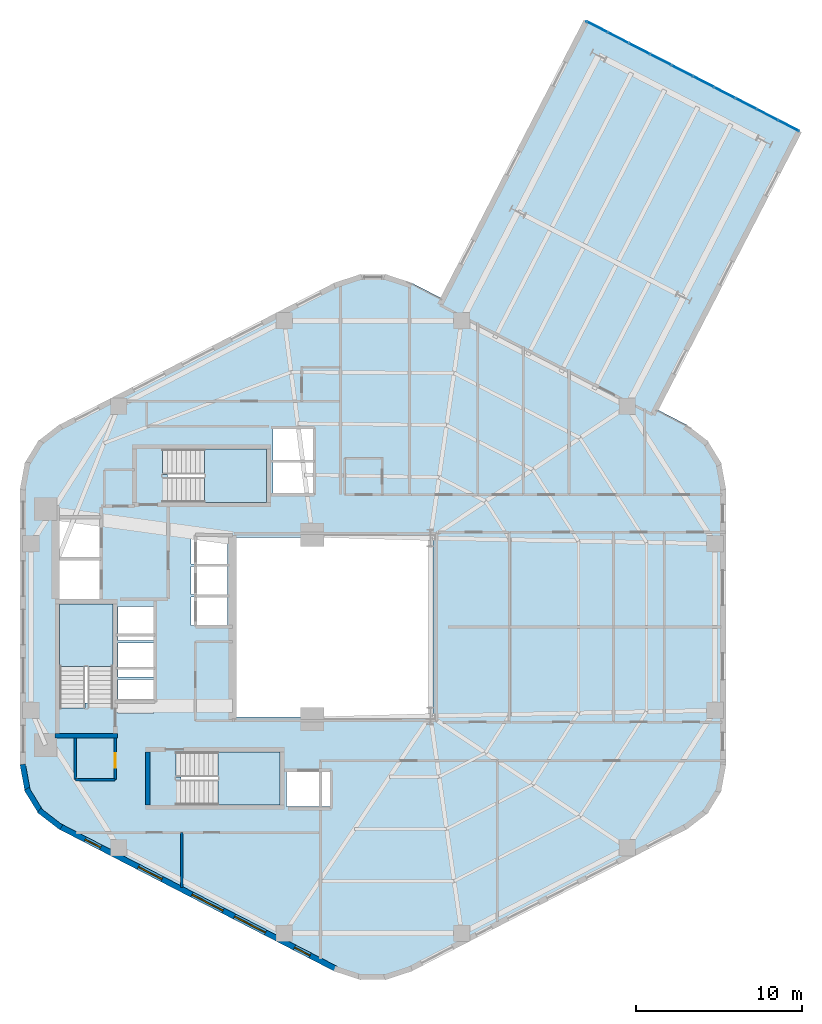
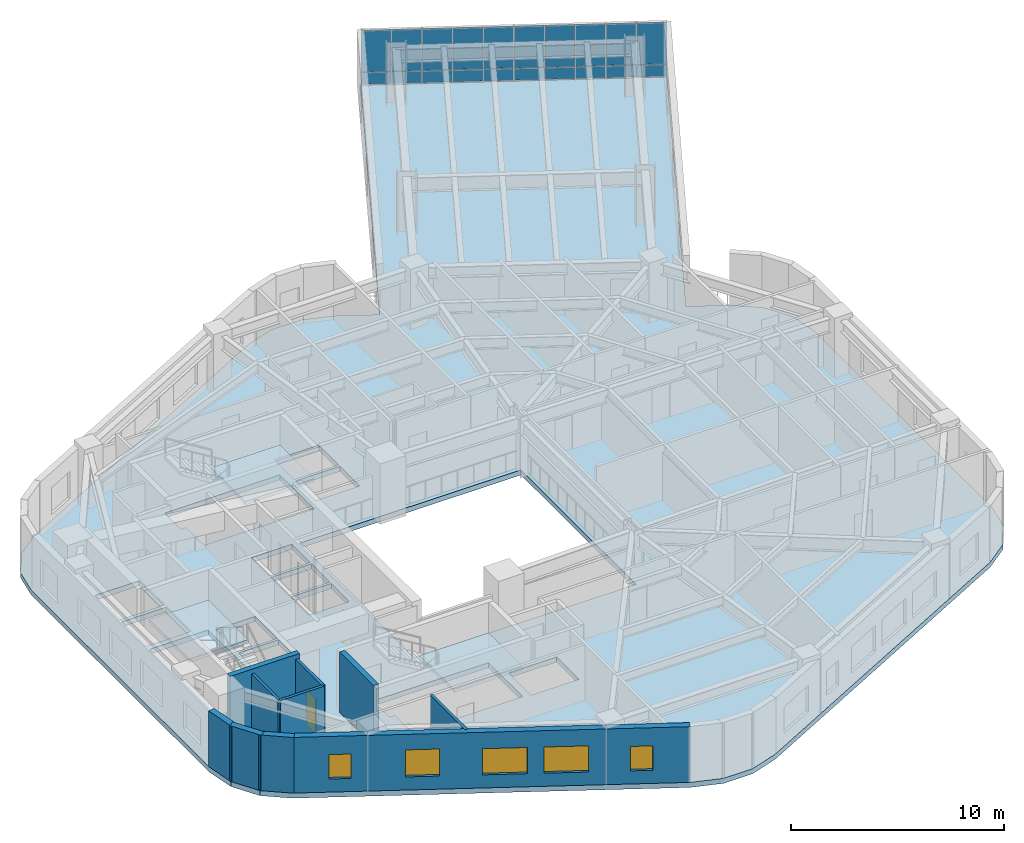
# One storey, part 4 of 11: 20 plates, 10 walls, 5 windows, 4 slabs, 1 door, 6 openings, 4 elements without a shape of their own.
"""IFC4 building model written with IfcOpenShell, lengths in metres."""

import ifcopenshell
import ifcopenshell.guid

model = None  # the IFC model being written
_history = None  # IfcOwnerHistory: only IFC2X3 demands one
_inside = {}  # id of a spatial element -> (the spatial element, [elements in it])
_under = {}  # id of a project, library or spatial element -> (it, [spatial elements below it])
_declared = {}  # id of a project -> (the project, [libraries it declares])
_typed = {}  # id of a type object -> (the type object, [elements of that type])
_made_of = {}  # id of a material, layer set ... -> (it, [elements and type objects made of it])


def new_model(schema):
    """Start an empty IFC model of exactly this schema.

    Asked for "IFC4X3", IfcOpenShell would pick the latest addendum, in which some entities
    have other attributes; the version numbers below select the first issue.
    IFC2X3 requires an IfcOwnerHistory on every rooted entity: one is made here for all.
    """
    global model, _history
    if schema == "IFC4X3":
        model = ifcopenshell.file(schema_version=(4, 3, 0, 0))
    else:
        model = ifcopenshell.file(schema=schema)
    _inside.clear()
    _under.clear()
    _declared.clear()
    _typed.clear()
    _made_of.clear()
    _history = None
    if model.schema == "IFC2X3":
        org = make("IfcOrganization", Name="unknown")
        user = make(
            "IfcPersonAndOrganization",
            ThePerson=make("IfcPerson", FamilyName="unknown"),
            TheOrganization=org,
        )
        app = make(
            "IfcApplication",
            ApplicationDeveloper=org,
            Version="unknown",
            ApplicationFullName="unknown",
            ApplicationIdentifier="unknown",
        )
        _history = make(
            "IfcOwnerHistory",
            OwningUser=user,
            OwningApplication=app,
            ChangeAction="ADDED",
            CreationDate=0,
        )
    return model


def make(cls, **values):
    """One entity of the class cls with the attributes given. An attribute that is None is left unset."""
    return model.create_entity(
        cls, **{name: value for name, value in values.items() if value is not None}
    )


def rooted(cls, **values):
    """An entity with a GlobalId (a new one), such as an element, a storey or a relation."""
    return make(cls, GlobalId=ifcopenshell.guid.new(), OwnerHistory=_history, **values)


def si_unit(unit_type, name, prefix=None):
    """IfcSIUnit, for example si_unit("LENGTHUNIT", "METRE", prefix="MILLI")."""
    return make("IfcSIUnit", UnitType=unit_type, Prefix=prefix, Name=name)


def assignment(units):
    """IfcUnitAssignment: the units of a project."""
    return None if units is None else make("IfcUnitAssignment", Units=units)


def point(xyz):
    """IfcCartesianPoint."""
    return None if xyz is None else make("IfcCartesianPoint", Coordinates=xyz)


def direction(xyz):
    """IfcDirection."""
    return None if xyz is None else make("IfcDirection", DirectionRatios=xyz)


def frame(location, z_axis=None, x_axis=None):
    """IfcAxis2Placement3D, a coordinate frame: its origin and axes. An axis left out is left unset."""
    return make(
        "IfcAxis2Placement3D",
        Location=point(location),
        Axis=direction(z_axis),
        RefDirection=direction(x_axis),
    )


def frame_2d(location, x_axis=None):
    """IfcAxis2Placement2D, a coordinate frame in the plane: its origin and x axis."""
    return make(
        "IfcAxis2Placement2D", Location=point(location), RefDirection=direction(x_axis)
    )


def origin():
    """The frame at (0, 0, 0) with its axes left unset."""
    return frame((0.0, 0.0, 0.0))


def origin_2d():
    """The frame at (0, 0) in the plane with its x axis left unset."""
    return frame_2d((0.0, 0.0))


def place(relative_to, where):
    """IfcLocalPlacement: puts the frame where relative to a parent placement (None: the world)."""
    return make(
        "IfcLocalPlacement", PlacementRelTo=relative_to, RelativePlacement=where
    )


def context(
    kind, dimensions, precision=None, world=None, true_north=None, identifier=None
):
    """IfcGeometricRepresentationContext, for example the 3D "Model" context."""
    return make(
        "IfcGeometricRepresentationContext",
        ContextIdentifier=identifier,
        ContextType=kind,
        CoordinateSpaceDimension=dimensions,
        Precision=precision,
        WorldCoordinateSystem=world,
        TrueNorth=true_north,
    )


def subcontext(parent, identifier, kind, view, scale=None):
    """IfcGeometricRepresentationSubContext, for example "Body" below "Model"."""
    return make(
        "IfcGeometricRepresentationSubContext",
        ContextIdentifier=identifier,
        ContextType=kind,
        ParentContext=parent,
        TargetScale=scale,
        TargetView=view,
    )


def project(units=None, contexts=None):
    """IfcProject with its units and contexts."""
    return rooted(
        "IfcProject",
        Name="project",
        RepresentationContexts=contexts,
        UnitsInContext=assignment(units),
    )


def spatial(cls, under=None, at=None, **own):
    """A site, building, storey or space (cls), placed at a placement, below another one or the project."""
    s = rooted(cls, ObjectPlacement=at, **own)
    if under is not None:
        _under.setdefault(under.id(), (under, []))[1].append(s)
    return s


def polyline(points):
    """IfcPolyline through the points."""
    return make("IfcPolyline", Points=[point(p) for p in points])


def profile(cls, at=None, kind="AREA", **sizes):
    """A parametric profile (cls). Its sizes go by their IFC names, for example OverallWidth=200.0."""
    return make(cls, ProfileType=kind, Position=at, **sizes)


def rectangle(**sizes):
    """IfcRectangleProfileDef."""
    return profile("IfcRectangleProfileDef", **sizes)


def outline(outer, holes=None, kind="AREA"):
    """IfcArbitraryClosedProfileDef: a profile drawn as a closed curve; with holes, ...WithVoids."""
    if holes is None:
        return make("IfcArbitraryClosedProfileDef", ProfileType=kind, OuterCurve=outer)
    return make(
        "IfcArbitraryProfileDefWithVoids",
        ProfileType=kind,
        OuterCurve=outer,
        InnerCurves=holes,
    )


def extrude(swept, where, along, depth):
    """IfcExtrudedAreaSolid: the profile swept, set in the frame where, extruded along a direction by depth."""
    return make(
        "IfcExtrudedAreaSolid",
        SweptArea=swept,
        Position=where,
        ExtrudedDirection=direction(along),
        Depth=depth,
    )


def shape(context_of_items, identifier, shape_type, items):
    """IfcShapeRepresentation: the items that make up one representation, for example the "Body"."""
    return make(
        "IfcShapeRepresentation",
        ContextOfItems=context_of_items,
        RepresentationIdentifier=identifier,
        RepresentationType=shape_type,
        Items=items,
    )


def material(Name=None, Category=None):
    """IfcMaterial."""
    return make("IfcMaterial", Name=Name, Category=Category)


def layer(
    of_material, thickness, ventilated=None, Name=None, Category=None, Priority=None
):
    """IfcMaterialLayer: one layer of a wall or slab, of a material (None: an air gap)."""
    return make(
        "IfcMaterialLayer",
        Material=of_material,
        LayerThickness=thickness,
        IsVentilated=ventilated,
        Name=Name,
        Category=Category,
        Priority=Priority,
    )


def layer_set(layers, Name=None):
    """IfcMaterialLayerSet."""
    return make("IfcMaterialLayerSet", MaterialLayers=layers, LayerSetName=Name)


def made_of(thing, what):
    """Note that an element or type object is made of a material, layer set ...; save() writes the relation."""
    if what is not None:
        _made_of.setdefault(what.id(), (what, []))[1].append(thing)
    return thing


def type_object(cls, material=None, **own):
    """A type object (cls), such as IfcWallType, which elements share."""
    return made_of(rooted(cls, **own), material)


def element(
    cls,
    number,
    at=None,
    inside=None,
    cuts=None,
    type_object=None,
    material=None,
    context=None,
    identifier="Body",
    shape_type=None,
    held_by="IfcProductDefinitionShape",
    body=None,
    shapes=None,
    **own,
):
    """One element of the class cls, such as IfcWall. Its Tag is "e" and its number.

    at: its placement. inside: the storey or other place that contains it. cuts: it is an
    opening in that element (IfcRelVoidsElement). A single representation is given by context,
    identifier, shape_type and body (its items); several are given by shapes. held_by: the class
    of the entity that holds the representations. save() writes the other relations.
    """
    e = rooted(cls, Tag="e%d" % number, ObjectPlacement=at, **own)
    if body is not None:
        shapes = [shape(context, identifier, shape_type, body)]
    if shapes is not None:
        e.Representation = make(held_by, Representations=shapes)
    if inside is not None:
        _inside.setdefault(inside.id(), (inside, []))[1].append(e)
    if cuts is not None:
        rooted(
            "IfcRelVoidsElement", RelatingBuildingElement=cuts, RelatedOpeningElement=e
        )
    if type_object is not None:
        _typed.setdefault(type_object.id(), (type_object, []))[1].append(e)
    return made_of(e, material)


def fill(opening, filler):
    """IfcRelFillsElement: the door or window that sits in an opening."""
    return rooted(
        "IfcRelFillsElement",
        RelatingOpeningElement=opening,
        RelatedBuildingElement=filler,
    )


def aggregate(whole, parts):
    """IfcRelAggregates: a whole, such as a stair, and the parts it consists of."""
    return rooted("IfcRelAggregates", RelatingObject=whole, RelatedObjects=parts)


def save(model, path):
    """Write the relations noted so far, then the file.

    IfcRelAggregates (storeys below a building ...), IfcRelContainedInSpatialStructure (elements
    in a storey), IfcRelDefinesByType, IfcRelAssociatesMaterial and IfcRelDeclares: one each for
    every whole, place, type object, material and project.
    """
    for whole, parts in _under.values():
        aggregate(whole, parts)
    for where, things in _inside.values():
        rooted(
            "IfcRelContainedInSpatialStructure",
            RelatedElements=things,
            RelatingStructure=where,
        )
    for kind, things in _typed.values():
        rooted("IfcRelDefinesByType", RelatedObjects=things, RelatingType=kind)
    for what, things in _made_of.values():
        rooted("IfcRelAssociatesMaterial", RelatedObjects=things, RelatingMaterial=what)
    for by, libraries in _declared.values():
        rooted("IfcRelDeclares", RelatingContext=by, RelatedDefinitions=libraries)
    model.write(path)


model = new_model("IFC4")

# Units and contexts
model_context = context("Model", 3, precision=1e-05, world=origin(), true_north=direction((0.0, 1.0)))
body_context = subcontext(model_context, "Body", "Model", "MODEL_VIEW")
ifc_project = project(units=[si_unit("LENGTHUNIT", "METRE"), si_unit("AREAUNIT", "SQUARE_METRE"), si_unit("VOLUMEUNIT", "CUBIC_METRE"), si_unit("PLANEANGLEUNIT", "RADIAN"), si_unit("MASSUNIT", "GRAM", prefix="KILO"), si_unit("THERMODYNAMICTEMPERATUREUNIT", "KELVIN"), si_unit("POWERUNIT", "WATT")], contexts=[model_context])

# Site, building, storey
site_placement = place(None, origin())
site = spatial("IfcSite", under=ifc_project, at=site_placement, CompositionType="ELEMENT")
building_placement = place(site_placement, origin())
building = spatial("IfcBuilding", under=site, at=building_placement, Name="Skarre Station Tower", CompositionType="ELEMENT")
storey_placement = place(building_placement, frame((0.0, 0.0, 118.800048828125)))
storey = spatial("IfcBuildingStorey", under=building, at=storey_placement, Name="L31", CompositionType="ELEMENT", Elevation=118.800048828125)

# Curtain wall, plates
ifc_material_1 = material(Name="Thermally Broken Bronze-Anodized Aluminium & Triple Low-E Glass", Category="aluminium")
ifc_layer_1 = layer(ifc_material_1, 0.2099609375, Name="Thermally Broken Bronze-Anodized Aluminium & Triple Low-E Glass")
ifc_layer_set_1 = layer_set([ifc_layer_1], Name="Thermally Broken Bronze-Anodized Aluminium & Triple Low-E Glass")
curtain_wall_type = type_object("IfcCurtainWallType", Name="Sky-Bar Prow Structural Glazed Curtain Wall", PredefinedType="NOTDEFINED", material=ifc_layer_set_1)
curtain_wall_placement = place(storey_placement, origin())
curtain_wall = element("IfcCurtainWall", 1, at=curtain_wall_placement, inside=storey, type_object=curtain_wall_type, Name="L31 SB-2 Lakefront Prow Curtain Wall", PredefinedType="NOTDEFINED")
ifc_material_2 = material(Name="Insulated Bronze Anodized Aluminium Spandrel", Category="aluminium")
ifc_layer_2 = layer(ifc_material_2, 0.052001953125, Name="Insulated Bronze Anodized Aluminium Spandrel")
ifc_layer_set_2 = layer_set([ifc_layer_2], Name="Insulated Bronze Anodized Aluminium Spandrel")
plate_type_1 = type_object("IfcPlateType", Name="Bronze Insulated Spandrel Sheet Panel 52", PredefinedType="SHEET", material=ifc_layer_set_2)
plate_1_placement = place(storey_placement, frame((49.47412109375, 60.10302734375, 0.052001953125), z_axis=(0.0, 0.0, 1.0), x_axis=(0.888601222224, -0.458680572798, 0.0)))
plate_1 = element("IfcPlate", 2, at=plate_1_placement, type_object=plate_type_1, Name="L31 SB-2 Lakefront Prow Curtain Wall Spandrel Panel 1-1", PredefinedType="SHEET", context=body_context, shape_type="SweptSolid", body=[
    extrude(rectangle(XDim=1.416015625, YDim=0.052001953125, at=origin_2d()), origin(), (0.0, 0.0, 1.0), 0.68603515625),
])
plate_2_placement = place(storey_placement, frame((50.7529296875, 59.44189453125, 0.052001953125), z_axis=(0.0, 0.0, 1.0), x_axis=(0.888601222224, -0.458680572798, 0.0)))
plate_2 = element("IfcPlate", 3, at=plate_2_placement, type_object=plate_type_1, Name="L31 SB-2 Lakefront Prow Curtain Wall Spandrel Panel 2-1", PredefinedType="SHEET", context=body_context, shape_type="SweptSolid", body=[
    extrude(rectangle(XDim=1.416015625, YDim=0.052001953125, at=origin_2d()), origin(), (0.0, 0.0, 1.0), 0.68603515625),
])
plate_3_placement = place(storey_placement, frame((52.032958984375, 58.781982421875, 0.052001953125), z_axis=(0.0, 0.0, 1.0), x_axis=(0.888601222224, -0.458680572798, 0.0)))
plate_3 = element("IfcPlate", 4, at=plate_3_placement, type_object=plate_type_1, Name="L31 SB-2 Lakefront Prow Curtain Wall Spandrel Panel 3-1", PredefinedType="SHEET", context=body_context, shape_type="SweptSolid", body=[
    extrude(rectangle(XDim=1.416015625, YDim=0.052001953125, at=origin_2d()), origin(), (0.0, 0.0, 1.0), 0.68603515625),
])
plate_4_placement = place(storey_placement, frame((53.31298828125, 58.12109375, 0.052001953125), z_axis=(0.0, 0.0, 1.0), x_axis=(0.888601222224, -0.458680572798, 0.0)))
plate_4 = element("IfcPlate", 5, at=plate_4_placement, type_object=plate_type_1, Name="L31 SB-2 Lakefront Prow Curtain Wall Spandrel Panel 4-1", PredefinedType="SHEET", context=body_context, shape_type="SweptSolid", body=[
    extrude(rectangle(XDim=1.416015625, YDim=0.052001953125, at=origin_2d()), origin(), (0.0, 0.0, 1.0), 0.68603515625),
])
plate_5_placement = place(storey_placement, frame((54.592041015625, 57.4609375, 0.052001953125), z_axis=(0.0, 0.0, 1.0), x_axis=(0.888601222224, -0.458680572798, 0.0)))
plate_5 = element("IfcPlate", 6, at=plate_5_placement, type_object=plate_type_1, Name="L31 SB-2 Lakefront Prow Curtain Wall Spandrel Panel 5-1", PredefinedType="SHEET", context=body_context, shape_type="SweptSolid", body=[
    extrude(rectangle(XDim=1.416015625, YDim=0.052001953125, at=origin_2d()), origin(), (0.0, 0.0, 1.0), 0.68603515625),
])
plate_6_placement = place(storey_placement, frame((55.8720703125, 56.800048828125, 0.052001953125), z_axis=(0.0, 0.0, 1.0), x_axis=(0.888601222224, -0.458680572798, 0.0)))
plate_6 = element("IfcPlate", 7, at=plate_6_placement, type_object=plate_type_1, Name="L31 SB-2 Lakefront Prow Curtain Wall Spandrel Panel 6-1", PredefinedType="SHEET", context=body_context, shape_type="SweptSolid", body=[
    extrude(rectangle(XDim=1.416015625, YDim=0.052001953125, at=origin_2d()), origin(), (0.0, 0.0, 1.0), 0.68603515625),
])
plate_7_placement = place(storey_placement, frame((57.15087890625, 56.139892578125, 0.052001953125), z_axis=(0.0, 0.0, 1.0), x_axis=(0.888601222224, -0.458680572798, 0.0)))
plate_7 = element("IfcPlate", 8, at=plate_7_placement, type_object=plate_type_1, Name="L31 SB-2 Lakefront Prow Curtain Wall Spandrel Panel 7-1", PredefinedType="SHEET", context=body_context, shape_type="SweptSolid", body=[
    extrude(rectangle(XDim=1.416015625, YDim=0.052001953125, at=origin_2d()), origin(), (0.0, 0.0, 1.0), 0.68603515625),
])
plate_8_placement = place(storey_placement, frame((58.430908203125, 55.47900390625, 0.052001953125), z_axis=(0.0, 0.0, 1.0), x_axis=(0.888601222224, -0.458680572798, 0.0)))
plate_8 = element("IfcPlate", 9, at=plate_8_placement, type_object=plate_type_1, Name="L31 SB-2 Lakefront Prow Curtain Wall Spandrel Panel 8-1", PredefinedType="SHEET", context=body_context, shape_type="SweptSolid", body=[
    extrude(rectangle(XDim=1.416015625, YDim=0.052001953125, at=origin_2d()), origin(), (0.0, 0.0, 1.0), 0.68603515625),
])
plate_9_placement = place(storey_placement, frame((59.7109375, 54.819091796875, 0.052001953125), z_axis=(0.0, 0.0, 1.0), x_axis=(0.888601222224, -0.458680572798, 0.0)))
plate_9 = element("IfcPlate", 10, at=plate_9_placement, type_object=plate_type_1, Name="L31 SB-2 Lakefront Prow Curtain Wall Spandrel Panel 9-1", PredefinedType="SHEET", context=body_context, shape_type="SweptSolid", body=[
    extrude(rectangle(XDim=1.416015625, YDim=0.052001953125, at=origin_2d()), origin(), (0.0, 0.0, 1.0), 0.68603515625),
])
plate_10_placement = place(storey_placement, frame((60.989990234375, 54.157958984375, 0.052001953125), z_axis=(0.0, 0.0, 1.0), x_axis=(0.888601222224, -0.458680572798, 0.0)))
plate_10 = element("IfcPlate", 11, at=plate_10_placement, type_object=plate_type_1, Name="L31 SB-2 Lakefront Prow Curtain Wall Spandrel Panel 10-1", PredefinedType="SHEET", context=body_context, shape_type="SweptSolid", body=[
    extrude(rectangle(XDim=1.416015625, YDim=0.052001953125, at=origin_2d()), origin(), (0.0, 0.0, 1.0), 0.68603515625),
])

# Stair, slab
ifc_material_3 = material(Name="Concrete C40/50", Category="concrete")
stair_type_1 = type_object("IfcStairType", Name="Reinforced Concrete Exit Stair ST-1", PredefinedType="HALF_TURN_STAIR", material=ifc_material_3)
stair_1_placement = place(storey_placement, origin())
stair_1 = element("IfcStair", 12, at=stair_1_placement, inside=storey, type_object=stair_type_1, Name="L31 Core Exit Stair ST-1", PredefinedType="HALF_TURN_STAIR")
ifc_layer_3 = layer(ifc_material_3, 0.219970703125, Name="Concrete C40/50")
ifc_layer_set_3 = layer_set([ifc_layer_3], Name="Concrete C40/50")
slab_type_1 = type_object("IfcSlabType", Name="Reinforced Concrete Stair & Ramp Landing 220", PredefinedType="LANDING", material=ifc_layer_set_3)
slab_1_placement = place(storey_placement, frame((0.0, 0.0, 1.52490234375)))
slab_1 = element("IfcSlab", 13, at=slab_1_placement, type_object=slab_type_1, Name="ST-1 landing 1", PredefinedType="LANDING", context=body_context, shape_type="SweptSolid", body=[
    extrude(outline(polyline([(20.35009765625, 21.639892578125), (20.35009765625, 25.39990234375), (17.14990234375, 25.39990234375), (17.14990234375, 21.639892578125), (20.35009765625, 21.639892578125)])), origin(), (0.0, 0.0, 1.0), 0.199951171875),
])
aggregate(stair_1, [slab_1])

stair_type_2 = type_object("IfcStairType", Name="Reinforced Concrete Exit Stair ST-2", PredefinedType="HALF_TURN_STAIR", material=ifc_material_3)
stair_2_placement = place(storey_placement, origin())
stair_2 = element("IfcStair", 14, at=stair_2_placement, inside=storey, type_object=stair_type_2, Name="L31 Core Exit Stair ST-2", PredefinedType="HALF_TURN_STAIR")
slab_2_placement = place(storey_placement, frame((0.0, 0.0, 1.52490234375)))
slab_2 = element("IfcSlab", 15, at=slab_2_placement, type_object=slab_type_1, Name="ST-2 landing 1", PredefinedType="LANDING", context=body_context, shape_type="SweptSolid", body=[
    extrude(outline(polyline([(26.669921875, 13.300048828125), (30.39990234375, 13.300048828125), (30.39990234375, 16.5), (26.669921875, 16.5), (26.669921875, 13.300048828125)])), origin(), (0.0, 0.0, 1.0), 0.199951171875),
])
aggregate(stair_2, [slab_2])

stair_type_3 = type_object("IfcStairType", Name="Reinforced Concrete Exit Stair ST-3", PredefinedType="HALF_TURN_STAIR", material=ifc_material_3)
stair_3_placement = place(storey_placement, origin())
stair_3 = element("IfcStair", 16, at=stair_3_placement, inside=storey, type_object=stair_type_3, Name="L31 Core Exit Stair ST-3", PredefinedType="HALF_TURN_STAIR")
slab_3_placement = place(storey_placement, frame((0.0, 0.0, 1.52490234375)))
slab_3 = element("IfcSlab", 17, at=slab_3_placement, type_object=slab_type_1, Name="ST-3 landing 1", PredefinedType="LANDING", context=body_context, shape_type="SweptSolid", body=[
    extrude(outline(polyline([(25.8701171875, 31.5), (29.60009765625, 31.5), (29.60009765625, 34.699951171875), (25.8701171875, 34.699951171875), (25.8701171875, 31.5)])), origin(), (0.0, 0.0, 1.0), 0.199951171875),
])
aggregate(stair_3, [slab_3])

# Slab
ifc_material_4 = material(Name="Concrete C50/60", Category="concrete")
ifc_layer_4 = layer(ifc_material_4, 0.2900390625, Name="Concrete C50/60")
ifc_layer_set_4 = layer_set([ifc_layer_4], Name="Concrete C50/60")
slab_type_2 = type_object("IfcSlabType", Name="Sky-Bar Composite Floor Slab 290", PredefinedType="FLOOR", material=ifc_layer_set_4)
slab_4_placement = place(storey_placement, frame((0.0, 0.0, -0.2900390625)))
element("IfcSlab", 18, at=slab_4_placement, inside=storey, type_object=slab_type_2, Name="L31 Tower and SB-2 Floor Slab", PredefinedType="FLOOR", context=body_context, shape_type="SweptSolid", body=[
    extrude(outline(polyline([(53.007080078125, 37.123046875), (61.6298828125, 53.827880859375), (48.833984375, 60.43310546875), (40.2109375, 43.72705078125), (38.30908203125, 44.708984375), (36.7958984375, 45.2060546875), (35.2041015625, 45.2060546875), (33.69091796875, 44.708984375), (17.091064453125, 36.14111328125), (15.867919921875, 35.194091796875), (15.06298828125, 33.873046875), (14.781982421875, 32.35205078125), (14.781982421875, 15.64794921875), (15.06298828125, 14.126953125), (15.867919921875, 12.805908203125), (17.091064453125, 11.85888671875), (33.69091796875, 3.291015625), (35.2041015625, 2.7939453125), (36.7958984375, 2.7939453125), (38.30908203125, 3.291015625), (54.908935546875, 11.85888671875), (56.132080078125, 12.805908203125), (56.93701171875, 14.126953125), (57.218017578125, 15.64794921875), (57.218017578125, 32.35205078125), (56.93701171875, 33.873046875), (56.132080078125, 35.194091796875), (54.908935546875, 36.14111328125), (53.007080078125, 37.123046875)]), holes=[polyline([(18.669921875, 19.419921875), (18.669921875, 19.123046875), (17.14990234375, 19.123046875), (17.14990234375, 25.39990234375), (20.35009765625, 25.39990234375), (20.35009765625, 19.419921875), (18.669921875, 19.419921875)]), polyline([(24.449951171875, 14.97998046875), (24.153076171875, 14.97998046875), (24.153076171875, 16.5), (30.39990234375, 16.5), (30.39990234375, 13.300048828125), (24.449951171875, 13.300048828125), (24.449951171875, 14.97998046875)]), polyline([(23.64990234375, 33.179931640625), (23.35302734375, 33.179931640625), (23.35302734375, 34.699951171875), (29.60009765625, 34.699951171875), (29.60009765625, 31.5), (23.64990234375, 31.5), (23.64990234375, 33.179931640625)]), polyline([(17.14990234375, 28.0), (19.550048828125, 28.0), (19.550048828125, 25.699951171875), (17.14990234375, 25.699951171875), (17.14990234375, 28.0)]), polyline([(17.14990234375, 30.5), (19.550048828125, 30.5), (19.550048828125, 28.199951171875), (17.14990234375, 28.199951171875), (17.14990234375, 30.5)]), polyline([(30.800048828125, 15.300048828125), (33.39990234375, 15.300048828125), (33.39990234375, 13.199951171875), (30.800048828125, 13.199951171875), (30.800048828125, 15.300048828125)]), polyline([(25.050048828125, 25.800048828125), (27.25, 25.800048828125), (27.25, 24.10009765625), (25.050048828125, 24.10009765625), (25.050048828125, 25.800048828125)]), polyline([(25.050048828125, 27.64990234375), (27.25, 27.64990234375), (27.25, 25.949951171875), (25.050048828125, 25.949951171875), (25.050048828125, 27.64990234375)]), polyline([(25.050048828125, 29.5), (27.25, 29.5), (27.25, 27.800048828125), (25.050048828125, 27.800048828125), (25.050048828125, 29.5)]), polyline([(20.64990234375, 20.85009765625), (22.800048828125, 20.85009765625), (22.800048828125, 18.800048828125), (20.64990234375, 18.800048828125), (20.64990234375, 20.85009765625)]), polyline([(20.64990234375, 23.050048828125), (22.800048828125, 23.050048828125), (22.800048828125, 21.0), (20.64990234375, 21.0), (20.64990234375, 23.050048828125)]), polyline([(20.64990234375, 25.25), (22.800048828125, 25.25), (22.800048828125, 23.199951171875), (20.64990234375, 23.199951171875), (20.64990234375, 25.25)]), polyline([(30.0, 33.89990234375), (32.39990234375, 33.89990234375), (32.39990234375, 32.050048828125), (30.0, 32.050048828125), (30.0, 33.89990234375)]), polyline([(30.0, 35.89990234375), (32.39990234375, 35.89990234375), (32.39990234375, 34.050048828125), (30.0, 34.050048828125), (30.0, 35.89990234375)]), polyline([(27.60009765625, 29.39990234375), (39.60009765625, 29.39990234375), (39.60009765625, 18.60009765625), (27.60009765625, 18.60009765625), (27.60009765625, 29.39990234375)])]), origin(), (0.0, 0.0, 1.0), 0.2900390625),
])

# Plate
ifc_material_5 = material(Name="Low-Iron Triple Insulating Glass Unit", Category="glass")
ifc_layer_5 = layer(ifc_material_5, 0.0439453125, Name="Low-Iron Triple Insulating Glass Unit")
ifc_layer_set_5 = layer_set([ifc_layer_5], Name="Low-Iron Triple Insulating Glass Unit")
plate_type_2 = type_object("IfcPlateType", Name="Triple-Glazed Vision Curtain Panel 44", PredefinedType="CURTAIN_PANEL", material=ifc_layer_set_5)
plate_11_placement = place(storey_placement, frame((49.47412109375, 60.10302734375, 0.761962890625), z_axis=(0.0, 0.0, 1.0), x_axis=(0.888601222224, -0.458680572798, 0.0)))
plate_11 = element("IfcPlate", 19, at=plate_11_placement, type_object=plate_type_2, Name="L31 SB-2 Lakefront Prow Curtain Wall Vision Panel 1-2", PredefinedType="CURTAIN_PANEL", context=body_context, shape_type="SweptSolid", body=[
    extrude(rectangle(XDim=1.416015625, YDim=0.0439453125, at=origin_2d()), origin(), (0.0, 0.0, 1.0), 2.3759765625),
])

plate_12_placement = place(storey_placement, frame((50.7529296875, 59.44189453125, 0.761962890625), z_axis=(0.0, 0.0, 1.0), x_axis=(0.888601222224, -0.458680572798, 0.0)))
plate_12 = element("IfcPlate", 20, at=plate_12_placement, type_object=plate_type_2, Name="L31 SB-2 Lakefront Prow Curtain Wall Vision Panel 2-2", PredefinedType="CURTAIN_PANEL", context=body_context, shape_type="SweptSolid", body=[
    extrude(rectangle(XDim=1.416015625, YDim=0.0439453125, at=origin_2d()), origin(), (0.0, 0.0, 1.0), 2.3759765625),
])

plate_13_placement = place(storey_placement, frame((52.032958984375, 58.781982421875, 0.761962890625), z_axis=(0.0, 0.0, 1.0), x_axis=(0.888601222224, -0.458680572798, 0.0)))
plate_13 = element("IfcPlate", 21, at=plate_13_placement, type_object=plate_type_2, Name="L31 SB-2 Lakefront Prow Curtain Wall Vision Panel 3-2", PredefinedType="CURTAIN_PANEL", context=body_context, shape_type="SweptSolid", body=[
    extrude(rectangle(XDim=1.416015625, YDim=0.0439453125, at=origin_2d()), origin(), (0.0, 0.0, 1.0), 2.3759765625),
])

plate_14_placement = place(storey_placement, frame((53.31298828125, 58.12109375, 0.761962890625), z_axis=(0.0, 0.0, 1.0), x_axis=(0.888601222224, -0.458680572798, 0.0)))
plate_14 = element("IfcPlate", 22, at=plate_14_placement, type_object=plate_type_2, Name="L31 SB-2 Lakefront Prow Curtain Wall Vision Panel 4-2", PredefinedType="CURTAIN_PANEL", context=body_context, shape_type="SweptSolid", body=[
    extrude(rectangle(XDim=1.416015625, YDim=0.0439453125, at=origin_2d()), origin(), (0.0, 0.0, 1.0), 2.3759765625),
])

plate_15_placement = place(storey_placement, frame((54.592041015625, 57.4609375, 0.761962890625), z_axis=(0.0, 0.0, 1.0), x_axis=(0.888601222224, -0.458680572798, 0.0)))
plate_15 = element("IfcPlate", 23, at=plate_15_placement, type_object=plate_type_2, Name="L31 SB-2 Lakefront Prow Curtain Wall Vision Panel 5-2", PredefinedType="CURTAIN_PANEL", context=body_context, shape_type="SweptSolid", body=[
    extrude(rectangle(XDim=1.416015625, YDim=0.0439453125, at=origin_2d()), origin(), (0.0, 0.0, 1.0), 2.3759765625),
])

plate_16_placement = place(storey_placement, frame((55.8720703125, 56.800048828125, 0.761962890625), z_axis=(0.0, 0.0, 1.0), x_axis=(0.888601222224, -0.458680572798, 0.0)))
plate_16 = element("IfcPlate", 24, at=plate_16_placement, type_object=plate_type_2, Name="L31 SB-2 Lakefront Prow Curtain Wall Vision Panel 6-2", PredefinedType="CURTAIN_PANEL", context=body_context, shape_type="SweptSolid", body=[
    extrude(rectangle(XDim=1.416015625, YDim=0.0439453125, at=origin_2d()), origin(), (0.0, 0.0, 1.0), 2.3759765625),
])

plate_17_placement = place(storey_placement, frame((57.15087890625, 56.139892578125, 0.761962890625), z_axis=(0.0, 0.0, 1.0), x_axis=(0.888601222224, -0.458680572798, 0.0)))
plate_17 = element("IfcPlate", 25, at=plate_17_placement, type_object=plate_type_2, Name="L31 SB-2 Lakefront Prow Curtain Wall Vision Panel 7-2", PredefinedType="CURTAIN_PANEL", context=body_context, shape_type="SweptSolid", body=[
    extrude(rectangle(XDim=1.416015625, YDim=0.0439453125, at=origin_2d()), origin(), (0.0, 0.0, 1.0), 2.3759765625),
])

plate_18_placement = place(storey_placement, frame((58.430908203125, 55.47900390625, 0.761962890625), z_axis=(0.0, 0.0, 1.0), x_axis=(0.888601222224, -0.458680572798, 0.0)))
plate_18 = element("IfcPlate", 26, at=plate_18_placement, type_object=plate_type_2, Name="L31 SB-2 Lakefront Prow Curtain Wall Vision Panel 8-2", PredefinedType="CURTAIN_PANEL", context=body_context, shape_type="SweptSolid", body=[
    extrude(rectangle(XDim=1.416015625, YDim=0.0439453125, at=origin_2d()), origin(), (0.0, 0.0, 1.0), 2.3759765625),
])

plate_19_placement = place(storey_placement, frame((59.7109375, 54.819091796875, 0.761962890625), z_axis=(0.0, 0.0, 1.0), x_axis=(0.888601222224, -0.458680572798, 0.0)))
plate_19 = element("IfcPlate", 27, at=plate_19_placement, type_object=plate_type_2, Name="L31 SB-2 Lakefront Prow Curtain Wall Vision Panel 9-2", PredefinedType="CURTAIN_PANEL", context=body_context, shape_type="SweptSolid", body=[
    extrude(rectangle(XDim=1.416015625, YDim=0.0439453125, at=origin_2d()), origin(), (0.0, 0.0, 1.0), 2.3759765625),
])

plate_20_placement = place(storey_placement, frame((60.989990234375, 54.157958984375, 0.761962890625), z_axis=(0.0, 0.0, 1.0), x_axis=(0.888601222224, -0.458680572798, 0.0)))
plate_20 = element("IfcPlate", 28, at=plate_20_placement, type_object=plate_type_2, Name="L31 SB-2 Lakefront Prow Curtain Wall Vision Panel 10-2", PredefinedType="CURTAIN_PANEL", context=body_context, shape_type="SweptSolid", body=[
    extrude(rectangle(XDim=1.416015625, YDim=0.0439453125, at=origin_2d()), origin(), (0.0, 0.0, 1.0), 2.3759765625),
])

aggregate(curtain_wall, [plate_1, plate_11, plate_2, plate_12, plate_3, plate_13, plate_4, plate_14, plate_5, plate_15, plate_6, plate_16, plate_7, plate_17, plate_8, plate_18, plate_9, plate_19, plate_10, plate_20])

# Walls
ifc_material_6 = material(Name="Acoustic Steel-Stud Gypsum Partition", Category="steel")
ifc_layer_6 = layer(ifc_material_6, 0.14990234375, Name="Acoustic Steel-Stud Gypsum Partition")
ifc_layer_set_6 = layer_set([ifc_layer_6], Name="Acoustic Steel-Stud Gypsum Partition")
wall_type_1 = type_object("IfcWallType", Name="Fire-Rated Corridor Acoustic Partition 150", PredefinedType="PARTITIONING", material=ifc_layer_set_6)
wall_1_placement = place(storey_placement, frame((18.10009765625, 17.340087890625, 0.0), z_axis=(0.0, 0.0, 1.0), x_axis=(0.0, -1.0, 0.0)))
element("IfcWall", 29, at=wall_1_placement, inside=storey, type_object=wall_type_1, Name="L31 Interior Partition WL-PT-L31-CSVC-W", PredefinedType="PARTITIONING", context=body_context, shape_type="SweptSolid", body=[
    extrude(rectangle(XDim=2.52001953125, YDim=0.14990234375, at=frame_2d((1.260009765625, 0.0))), origin(), (0.0, 0.0, 1.0), 3.18994140625),
])
wall_2_placement = place(storey_placement, frame((18.10009765625, 14.820068359375, 0.0), z_axis=(0.0, 0.0, 1.0), x_axis=(1.0, 0.0, 0.0)))
element("IfcWall", 30, at=wall_2_placement, inside=storey, type_object=wall_type_1, Name="L31 Interior Partition WL-PT-L31-CSVC-S", PredefinedType="PARTITIONING", context=body_context, shape_type="SweptSolid", body=[
    extrude(rectangle(XDim=2.389892578125, YDim=0.14990234375, at=frame_2d((1.19482421875, 0.0))), origin(), (0.0, 0.0, 1.0), 3.18994140625),
])

# Wall, opening, door
wall_3_placement = place(storey_placement, frame((20.489990234375, 14.820068359375, 0.0), z_axis=(0.0, 0.0, 1.0), x_axis=(0.0, 1.0, 0.0)))
wall_3 = element("IfcWall", 31, at=wall_3_placement, inside=storey, type_object=wall_type_1, Name="L31 Interior Partition WL-PT-L31-CSVC-E", PredefinedType="PARTITIONING", context=body_context, shape_type="SweptSolid", body=[
    extrude(rectangle(XDim=2.52001953125, YDim=0.14990234375, at=frame_2d((1.260009765625, 0.0))), origin(), (0.0, 0.0, 1.0), 3.18994140625),
])
opening_1_placement = place(wall_3_placement, frame((0.719970703125, 0.0, 0.0)))
opening_1 = element("IfcOpeningElement", 32, at=opening_1_placement, cuts=wall_3, Name="Opening DR-SVC86", PredefinedType="OPENING", context=body_context, shape_type="SweptSolid", body=[
    extrude(rectangle(XDim=0.860107421875, YDim=2.0, at=frame_2d((0.43017578125, 1.0))), frame((0.0, 0.0849609375, 0.0), z_axis=(0.0, -1.0, 0.0), x_axis=(1.0, 0.0, 0.0)), (0.0, 0.0, 1.0), 0.169921875),
])
ifc_material_7 = material(Name="Powder-Coated Hollow-Metal Acoustic Fire Leaf", Category="steel")
door_type = type_object("IfcDoorType", Name="Compact Riser Fire Door FD60 860x2100", OperationType="SINGLE_SWING_LEFT", PredefinedType="DOOR", material=ifc_material_7)
door_placement = place(opening_1_placement, origin())
door = element("IfcDoor", 33, at=door_placement, inside=storey, type_object=door_type, Name="L31 Core Staff Toilet Door", OperationType="SINGLE_SWING_LEFT", OverallHeight=2.0, OverallWidth=0.860107421875, PredefinedType="DOOR", context=body_context, shape_type="SweptSolid", body=[
    extrude(rectangle(XDim=0.860107421875, YDim=2.0, at=frame_2d((0.43017578125, 1.0))), frame((0.0, 0.02490234375, 0.0), z_axis=(0.0, -1.0, 0.0), x_axis=(1.0, 0.0, 0.0)), (0.0, 0.0, 1.0), 0.050048828125),
])
fill(opening_1, door)

# Wall
wall_4_placement = place(storey_placement, frame((24.5, 8.35009765625, 0.0), z_axis=(0.0, 0.0, 1.0), x_axis=(0.0, 1.0, 0.0)))
element("IfcWall", 34, at=wall_4_placement, inside=storey, type_object=wall_type_1, Name="L31 Interior Partition WL-PT-L31-SWP-M", PredefinedType="PARTITIONING", context=body_context, shape_type="SweptSolid", body=[
    extrude(rectangle(XDim=3.289794921875, YDim=0.14990234375, at=frame_2d((1.64501953125, 0.0))), origin(), (0.0, 0.0, 1.0), 3.18994140625),
])

# Wall, openings, windows
ifc_material_8 = material(Name="Precast concrete C45/55", Category="concrete")
ifc_layer_7 = layer(ifc_material_8, 0.340087890625, Name="Precast concrete C45/55")
ifc_layer_set_7 = layer_set([ifc_layer_7], Name="Precast concrete C45/55")
wall_type_2 = type_object("IfcWallType", Name="Nordic Honed Precast Facet Wall 340", PredefinedType="STANDARD", material=ifc_layer_set_7)
wall_5_placement = place(storey_placement, frame((33.76904296875, 3.44189453125, 0.0), z_axis=(0.0, 0.0, 1.0), x_axis=(-0.888613612362, 0.458656568606, 0.0)))
wall_5 = element("IfcWall", 35, at=wall_5_placement, inside=storey, type_object=wall_type_2, Name="L31 Facet 3 Nordic Precast Masonry Wall", PredefinedType="STANDARD", context=body_context, shape_type="SweptSolid", body=[
    extrude(rectangle(XDim=18.680908203125, YDim=0.340087890625, at=frame_2d((9.34033203125, 0.0))), origin(), (0.0, 0.0, 1.0), 3.18994140625),
])
opening_2_placement = place(wall_5_placement, frame((1.75, 0.0, 0.75)))
opening_2 = element("IfcOpeningElement", 36, at=opening_2_placement, cuts=wall_5, Name="Opening WN-SLT", PredefinedType="OPENING", context=body_context, shape_type="SweptSolid", body=[
    extrude(rectangle(XDim=1.050048828125, YDim=1.39990234375, at=frame_2d((0.52490234375, 0.699951171875))), frame((0.0, 0.179931640625, 0.0), z_axis=(0.0, -1.0, 0.0), x_axis=(1.0, 0.0, 0.0)), (0.0, 0.0, 1.0), 0.360107421875),
])
opening_3_placement = place(wall_5_placement, frame((4.764892578125, 0.0, 0.75)))
opening_3 = element("IfcOpeningElement", 37, at=opening_3_placement, cuts=wall_5, Name="Opening WN-Z2B", PredefinedType="OPENING", context=body_context, shape_type="SweptSolid", body=[
    extrude(rectangle(XDim=2.10009765625, YDim=1.5, at=frame_2d((1.050048828125, 0.75))), frame((0.0, 0.179931640625, 0.0), z_axis=(0.0, -1.0, 0.0), x_axis=(1.0, 0.0, 0.0)), (0.0, 0.0, 1.0), 0.360107421875),
])
opening_4_placement = place(wall_5_placement, frame((7.64404296875, 0.0, 0.75)))
opening_4 = element("IfcOpeningElement", 38, at=opening_4_placement, cuts=wall_5, Name="Opening WN-Z2B", PredefinedType="OPENING", context=body_context, shape_type="SweptSolid", body=[
    extrude(rectangle(XDim=2.10009765625, YDim=1.5, at=frame_2d((1.050048828125, 0.75))), frame((0.0, 0.179931640625, 0.0), z_axis=(0.0, -1.0, 0.0), x_axis=(1.0, 0.0, 0.0)), (0.0, 0.0, 1.0), 0.360107421875),
])
opening_5_placement = place(wall_5_placement, frame((11.77392578125, 0.0, 0.75)))
opening_5 = element("IfcOpeningElement", 39, at=opening_5_placement, cuts=wall_5, Name="Opening WN-Z2A", PredefinedType="OPENING", context=body_context, shape_type="SweptSolid", body=[
    extrude(rectangle(XDim=1.60009765625, YDim=1.550048828125, at=frame_2d((0.800048828125, 0.77490234375))), frame((0.0, 0.179931640625, 0.0), z_axis=(0.0, -1.0, 0.0), x_axis=(1.0, 0.0, 0.0)), (0.0, 0.0, 1.0), 0.360107421875),
])
opening_6_placement = place(wall_5_placement, frame((15.919921875, 0.0, 0.75)))
opening_6 = element("IfcOpeningElement", 40, at=opening_6_placement, cuts=wall_5, Name="Opening WN-SLT", PredefinedType="OPENING", context=body_context, shape_type="SweptSolid", body=[
    extrude(rectangle(XDim=1.050048828125, YDim=1.39990234375, at=frame_2d((0.52490234375, 0.699951171875))), frame((0.0, 0.179931640625, 0.0), z_axis=(0.0, -1.0, 0.0), x_axis=(1.0, 0.0, 0.0)), (0.0, 0.0, 1.0), 0.360107421875),
])
ifc_material_9 = material(Name="Low-Iron Triple Glazing with Bronze Anodized Frame", Category="glass")
window_type_1 = type_object("IfcWindowType", Name="Nordic Corner Slot Window 1050x1400", PartitioningType="SINGLE_PANEL", PredefinedType="WINDOW", material=ifc_material_9)
window_1_placement = place(opening_2_placement, origin())
window_1 = element("IfcWindow", 41, at=window_1_placement, inside=storey, type_object=window_type_1, Name="L31 Facade Window WL-FAC-L31-F3-1", OverallHeight=1.39990234375, OverallWidth=1.050048828125, PartitioningType="SINGLE_PANEL", PredefinedType="WINDOW", context=body_context, shape_type="SweptSolid", body=[
    extrude(rectangle(XDim=1.050048828125, YDim=1.39990234375, at=frame_2d((0.52490234375, 0.699951171875))), frame((0.0, 0.030029296875, 0.0), z_axis=(0.0, -1.0, 0.0), x_axis=(1.0, 0.0, 0.0)), (0.0, 0.0, 1.0), 0.06005859375),
])
fill(opening_2, window_1)
window_2_placement = place(opening_6_placement, origin())
window_2 = element("IfcWindow", 42, at=window_2_placement, inside=storey, type_object=window_type_1, Name="L31 Facade Window WL-FAC-L31-F3-5", OverallHeight=1.39990234375, OverallWidth=1.050048828125, PartitioningType="SINGLE_PANEL", PredefinedType="WINDOW", context=body_context, shape_type="SweptSolid", body=[
    extrude(rectangle(XDim=1.050048828125, YDim=1.39990234375, at=frame_2d((0.52490234375, 0.699951171875))), frame((0.0, 0.030029296875, 0.0), z_axis=(0.0, -1.0, 0.0), x_axis=(1.0, 0.0, 0.0)), (0.0, 0.0, 1.0), 0.06005859375),
])
fill(opening_6, window_2)
window_type_2 = type_object("IfcWindowType", Name="Nordic Residential Tall Window 1600x1550", PartitioningType="SINGLE_PANEL", PredefinedType="WINDOW", material=ifc_material_9)
window_3_placement = place(opening_5_placement, origin())
window_3 = element("IfcWindow", 43, at=window_3_placement, inside=storey, type_object=window_type_2, Name="L31 Facade Window WL-FAC-L31-F3-4", OverallHeight=1.550048828125, OverallWidth=1.60009765625, PartitioningType="SINGLE_PANEL", PredefinedType="WINDOW", context=body_context, shape_type="SweptSolid", body=[
    extrude(rectangle(XDim=1.60009765625, YDim=1.550048828125, at=frame_2d((0.800048828125, 0.77490234375))), frame((0.0, 0.030029296875, 0.0), z_axis=(0.0, -1.0, 0.0), x_axis=(1.0, 0.0, 0.0)), (0.0, 0.0, 1.0), 0.06005859375),
])
fill(opening_5, window_3)
window_type_3 = type_object("IfcWindowType", Name="Nordic Residential Twin Window 2100x1500", PartitioningType="SINGLE_PANEL", PredefinedType="WINDOW", material=ifc_material_9)
window_4_placement = place(opening_3_placement, origin())
window_4 = element("IfcWindow", 44, at=window_4_placement, inside=storey, type_object=window_type_3, Name="L31 Facade Window WL-FAC-L31-F3-2", OverallHeight=1.5, OverallWidth=2.10009765625, PartitioningType="SINGLE_PANEL", PredefinedType="WINDOW", context=body_context, shape_type="SweptSolid", body=[
    extrude(rectangle(XDim=2.10009765625, YDim=1.5, at=frame_2d((1.050048828125, 0.75))), frame((0.0, 0.030029296875, 0.0), z_axis=(0.0, -1.0, 0.0), x_axis=(1.0, 0.0, 0.0)), (0.0, 0.0, 1.0), 0.06005859375),
])
fill(opening_3, window_4)
window_5_placement = place(opening_4_placement, origin())
window_5 = element("IfcWindow", 45, at=window_5_placement, inside=storey, type_object=window_type_3, Name="L31 Facade Window WL-FAC-L31-F3-3", OverallHeight=1.5, OverallWidth=2.10009765625, PartitioningType="SINGLE_PANEL", PredefinedType="WINDOW", context=body_context, shape_type="SweptSolid", body=[
    extrude(rectangle(XDim=2.10009765625, YDim=1.5, at=frame_2d((1.050048828125, 0.75))), frame((0.0, 0.030029296875, 0.0), z_axis=(0.0, -1.0, 0.0), x_axis=(1.0, 0.0, 0.0)), (0.0, 0.0, 1.0), 0.06005859375),
])
fill(opening_4, window_5)

# Walls
ifc_layer_8 = layer(ifc_material_8, 0.330078125, Name="Precast concrete C45/55")
ifc_layer_set_8 = layer_set([ifc_layer_8], Name="Precast concrete C45/55")
wall_type_3 = type_object("IfcWallType", Name="Nordic Rounded Corner Precast Wall 330", PredefinedType="STANDARD", material=ifc_layer_set_8)
wall_6_placement = place(storey_placement, frame((17.242919921875, 11.949951171875, 0.0), z_axis=(0.0, 0.0, 1.0), x_axis=(-0.790621329885, 0.612305408053, 0.0)))
element("IfcWall", 46, at=wall_6_placement, inside=storey, type_object=wall_type_3, Name="L31 Rounded Corner Precast Wall F3-1", PredefinedType="STANDARD", context=body_context, shape_type="SweptSolid", body=[
    extrude(rectangle(XDim=1.67578125, YDim=0.330078125, at=frame_2d((0.837890625, 0.0))), origin(), (0.0, 0.0, 1.0), 3.18994140625),
])
wall_7_placement = place(storey_placement, frame((16.04296875, 12.8359375, 0.0), z_axis=(0.0, 0.0, 1.0), x_axis=(-0.520519429557, 0.853849824883, 0.0)))
element("IfcWall", 47, at=wall_7_placement, inside=storey, type_object=wall_type_3, Name="L31 Rounded Corner Precast Wall F3-2", PredefinedType="STANDARD", context=body_context, shape_type="SweptSolid", body=[
    extrude(rectangle(XDim=1.67724609375, YDim=0.330078125, at=frame_2d((0.838623046875, 0.0))), origin(), (0.0, 0.0, 1.0), 3.18994140625),
])
wall_8_placement = place(storey_placement, frame((15.237060546875, 14.093017578125, 0.0), z_axis=(0.0, 0.0, 1.0), x_axis=(-0.181984991895, 0.983301308209, 0.0)))
element("IfcWall", 48, at=wall_8_placement, inside=storey, type_object=wall_type_3, Name="L31 Rounded Corner Precast Wall F3-3", PredefinedType="STANDARD", context=body_context, shape_type="SweptSolid", body=[
    extrude(rectangle(XDim=1.677001953125, YDim=0.330078125, at=frame_2d((0.83837890625, 0.0))), origin(), (0.0, 0.0, 1.0), 3.18994140625),
])
ifc_layer_9 = layer(ifc_material_4, 0.280029296875, Name="Concrete C50/60")
ifc_layer_set_9 = layer_set([ifc_layer_9], Name="Concrete C50/60")
wall_type_4 = type_object("IfcWallType", Name="RC Core Shear Wall 280", PredefinedType="SHEAR", material=ifc_layer_set_9)
wall_9_placement = place(storey_placement, frame((16.8701171875, 17.4599609375, 0.0), z_axis=(0.0, 0.0, 1.0), x_axis=(1.0, 0.0, 0.0)))
element("IfcWall", 49, at=wall_9_placement, inside=storey, type_object=wall_type_4, Name="L31 Stair ST-1 South Shear Wall", PredefinedType="SHEAR", context=body_context, shape_type="SweptSolid", body=[
    extrude(rectangle(XDim=3.759765625, YDim=0.280029296875, at=frame_2d((1.8798828125, 0.0))), origin(), (0.0, 0.0, 1.0), 3.449951171875),
])
wall_10_placement = place(storey_placement, frame((22.4599609375, 16.5, 0.0), z_axis=(0.0, 0.0, 1.0), x_axis=(0.0, -1.0, 0.0)))
element("IfcWall", 50, at=wall_10_placement, inside=storey, type_object=wall_type_4, Name="L31 Stair ST-2 West Shear Wall", PredefinedType="SHEAR", context=body_context, shape_type="SweptSolid", body=[
    extrude(rectangle(XDim=3.199951171875, YDim=0.280029296875, at=frame_2d((1.60009765625, 0.0))), origin(), (0.0, 0.0, 1.0), 3.449951171875),
])

save(model, "model.ifc")
